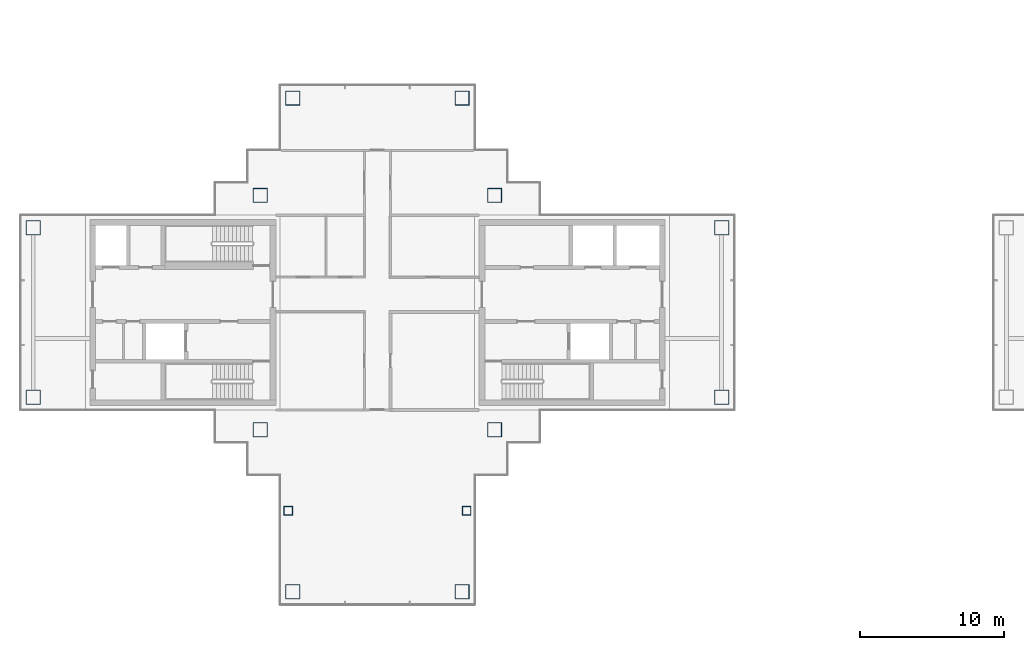
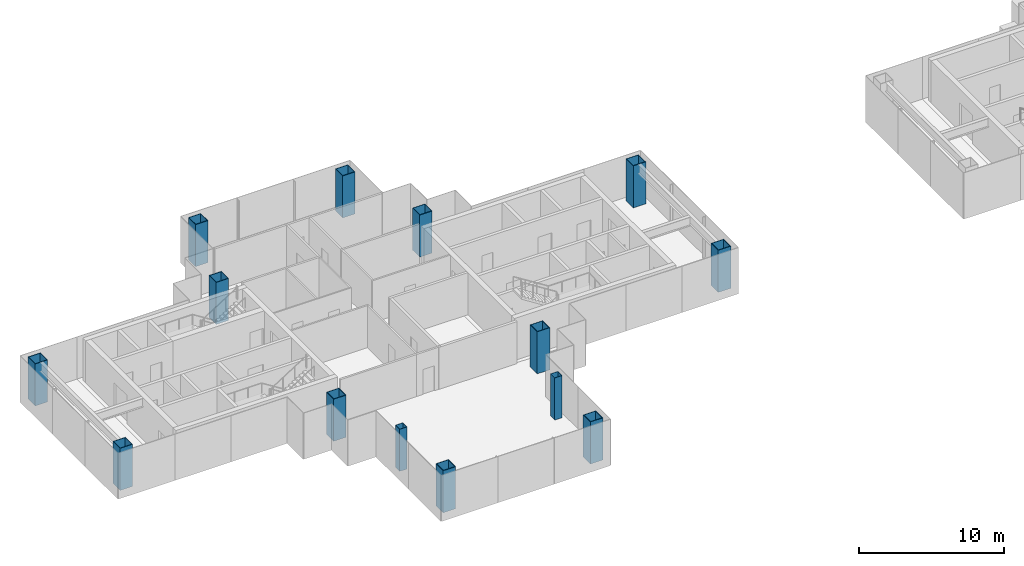
# One storey, part 1 of 16: 14 columns.
"""IFC4 building model written with IfcOpenShell, lengths in metres."""

from ifc_helpers import new_model, si_unit, direction, frame, origin, origin_2d, place, context, subcontext, project, spatial, hollow_rectangle, extrude, material, material_profile, profile_set, type_object, element, save


model = new_model("IFC4")

# Units and contexts
model_context = context("Model", 3, precision=1e-05, world=origin(), true_north=direction((0.0, 1.0)))
body_context = subcontext(model_context, "Body", "Model", "MODEL_VIEW")
ifc_project = project(units=[si_unit("LENGTHUNIT", "METRE"), si_unit("AREAUNIT", "SQUARE_METRE"), si_unit("VOLUMEUNIT", "CUBIC_METRE"), si_unit("PLANEANGLEUNIT", "RADIAN"), si_unit("MASSUNIT", "GRAM", prefix="KILO")], contexts=[model_context])

# Site, building, storey
site_placement = place(None, origin())
site = spatial("IfcSite", under=ifc_project, at=site_placement, CompositionType="ELEMENT")
building_placement = place(site_placement, origin())
building = spatial("IfcBuilding", under=site, at=building_placement, Name="Shamsa Quay Exchange Towers", CompositionType="ELEMENT")
storey_placement = place(building_placement, frame((0.0, 0.0, 210.0)))
storey = spatial("IfcBuildingStorey", under=building, at=storey_placement, Name="L50", CompositionType="ELEMENT", Elevation=210.0)

# Columns
ifc_material_1 = material(Name="Concrete-filled steel tube S355 / C80/95", Category="concrete")
ifc_material_profile_1 = material_profile(ifc_material_1, hollow_rectangle(XDim=1.0, YDim=1.0, WallThickness=0.0400390625, at=origin_2d()), Name="CFT 1000x1000x40")
ifc_profile_set_1 = profile_set([ifc_material_profile_1], Name="Concrete-filled steel tube S355 / C80/95")
column_type_1 = type_object("IfcColumnType", Name="Column CFT 1000x1000x40", PredefinedType="COLUMN", material=ifc_profile_set_1)
for number, where, name in (
    (1, (-25.625, 8.125, 0.0), "Mega column T1-CM01"),
    (2, (-25.625, -8.125, 0.0), "Mega column T1-CM02"),
    (3, (-41.875, 8.125, 0.0), "Mega column T1-CM03"),
    (4, (-41.875, -8.125, 0.0), "Mega column T1-CM04"),
    (5, (-9.875, -5.875, 0.0), "Mega column T1-CM05"),
    (6, (-9.875, 5.875, 0.0), "Mega column T1-CM07"),
    (7, (-57.625, -5.875, 0.0), "Mega column T1-CM09"),
    (8, (-57.625, 5.875, 0.0), "Mega column T1-CM11"),
    (9, (-39.625, 14.875, 0.0), "Mega column T1-CM13"),
    (10, (-27.875, 14.875, 0.0), "Mega column T1-CM16"),
    (11, (-39.625, -19.375, 0.0), "Mega column T1-CM20"),
    (12, (-27.875, -19.375, 0.0), "Mega column T1-CM23"),
):
    element("IfcColumn", number, at=place(storey_placement, frame(where)), inside=storey, type_object=column_type_1, Name=name, PredefinedType="COLUMN", context=body_context, shape_type="SweptSolid", body=[
        extrude(hollow_rectangle(XDim=1.0, YDim=1.0, WallThickness=0.0400390625, at=origin_2d()), origin(), (0.0, 0.0, 1.0), 3.550048828125),
    ])
ifc_material_2 = material(Name="Concrete-filled steel tube S355 / C60/75", Category="concrete")
ifc_material_profile_2 = material_profile(ifc_material_2, hollow_rectangle(XDim=0.60009765625, YDim=0.60009765625, WallThickness=0.02001953125, at=origin_2d()), Name="CFT 600x600x20")
ifc_profile_set_2 = profile_set([ifc_material_profile_2], Name="Concrete-filled steel tube S355 / C60/75")
column_type_2 = type_object("IfcColumnType", Name="Column CFT 600x600x20", PredefinedType="COLUMN", material=ifc_profile_set_2)
for number, where, name in (
    (13, (-39.9375, -13.75, 0.0), "Perimeter column T1-CP19"),
    (14, (-27.5625, -13.75, 0.0), "Perimeter column T1-CP22"),
):
    element("IfcColumn", number, at=place(storey_placement, frame(where)), inside=storey, type_object=column_type_2, Name=name, PredefinedType="COLUMN", context=body_context, shape_type="SweptSolid", body=[
        extrude(hollow_rectangle(XDim=0.60009765625, YDim=0.60009765625, WallThickness=0.02001953125, at=origin_2d()), origin(), (0.0, 0.0, 1.0), 3.550048828125),
    ])

save(model, "model.ifc")
